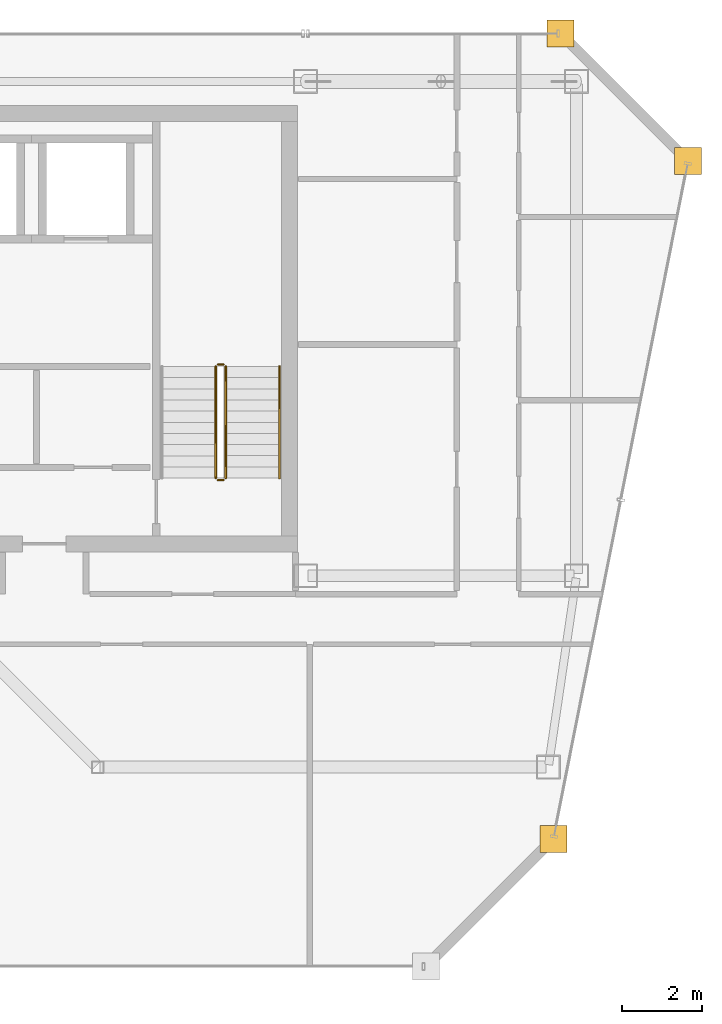
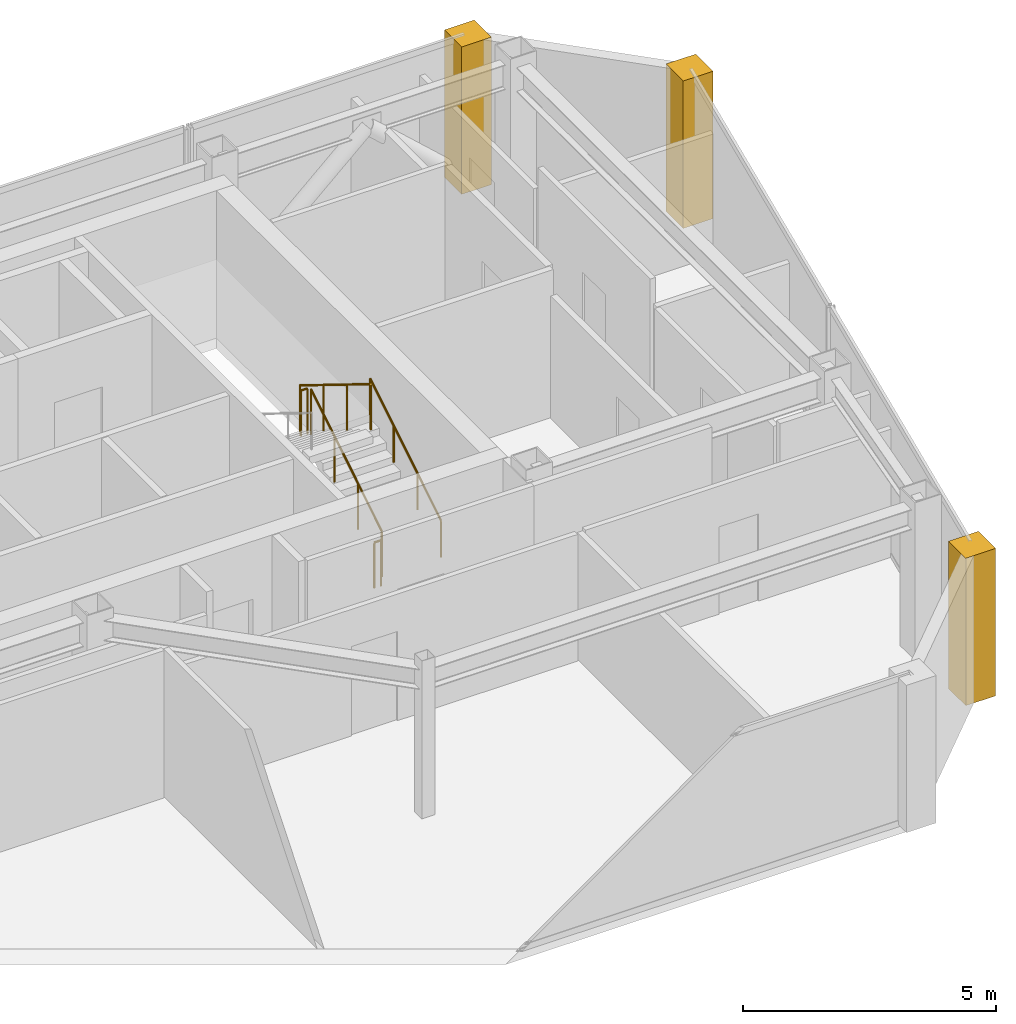
# One storey, part 24 of 24: 5 railings, 3 coverings.
"""IFC4 building model written with IfcOpenShell, lengths in metres."""

from ifc_helpers import new_model, si_unit, direction, frame, origin, origin_2d, place, context, subcontext, project, spatial, polyline, circle, outline, extrude, material, layer, layer_set, type_object, element, save


model = new_model("IFC4")

# Units and contexts
model_context = context("Model", 3, precision=1e-05, world=origin(), true_north=direction((0.0, 1.0)))
body_context = subcontext(model_context, "Body", "Model", "MODEL_VIEW")
ifc_project = project(units=[si_unit("LENGTHUNIT", "METRE"), si_unit("AREAUNIT", "SQUARE_METRE"), si_unit("VOLUMEUNIT", "CUBIC_METRE"), si_unit("PLANEANGLEUNIT", "RADIAN"), si_unit("MASSUNIT", "GRAM", prefix="KILO")], contexts=[model_context])

# Site, building, storey
site_placement = place(None, origin())
site = spatial("IfcSite", under=ifc_project, at=site_placement, CompositionType="ELEMENT")
building_placement = place(site_placement, origin())
building = spatial("IfcBuilding", under=site, at=building_placement, Name="Saevonmaru Cultural Tower", CompositionType="ELEMENT")
storey_placement = place(building_placement, frame((0.0, 0.0, 299.0)))
storey = spatial("IfcBuildingStorey", under=building, at=storey_placement, Name="L71", CompositionType="ELEMENT", Elevation=299.0)

# Coverings
ifc_material_1 = material(Name="Satin Bronze Anodised Aluminium", Category="aluminium")
ifc_layer = layer(ifc_material_1, 0.679931640625, Name="Satin Bronze Anodised Aluminium")
ifc_layer_set = layer_set([ifc_layer], Name="Satin Bronze Anodised Aluminium")
covering_type = type_object("IfcCoveringType", Name="CV-CORNER-CLAD", PredefinedType="CLADDING", material=ifc_layer_set)
covering_1_placement = place(storey_placement, origin())
element("IfcCovering", 1, at=covering_1_placement, inside=storey, type_object=covering_type, Name="L71 Tower Bronze Corner Cladding Pier 8", PredefinedType="CLADDING", context=body_context, shape_type="SweptSolid", body=[
    extrude(outline(polyline([(52.280029296875, 35.4599609375), (52.9599609375, 35.4599609375), (52.9599609375, 36.139892578125), (52.280029296875, 36.139892578125), (52.280029296875, 35.4599609375)])), origin(), (0.0, 0.0, 1.0), 3.550048828125),
])
covering_2_placement = place(storey_placement, origin())
element("IfcCovering", 2, at=covering_2_placement, inside=storey, type_object=covering_type, Name="L71 Tower Bronze Corner Cladding Pier 9", PredefinedType="CLADDING", context=body_context, shape_type="SweptSolid", body=[
    extrude(outline(polyline([(55.659912109375, 52.4599609375), (56.340087890625, 52.4599609375), (56.340087890625, 53.139892578125), (55.659912109375, 53.139892578125), (55.659912109375, 52.4599609375)])), origin(), (0.0, 0.0, 1.0), 3.550048828125),
])
covering_3_placement = place(storey_placement, origin())
element("IfcCovering", 3, at=covering_3_placement, inside=storey, type_object=covering_type, Name="L71 Tower Bronze Corner Cladding Pier 10", PredefinedType="CLADDING", context=body_context, shape_type="SweptSolid", body=[
    extrude(outline(polyline([(52.4599609375, 55.659912109375), (53.139892578125, 55.659912109375), (53.139892578125, 56.340087890625), (52.4599609375, 56.340087890625), (52.4599609375, 55.659912109375)])), origin(), (0.0, 0.0, 1.0), 3.550048828125),
])

# Railings
ifc_material_2 = material(Name="Architectural Painted Steel", Category="steel")
railing_type_1 = type_object("IfcRailingType", Name="RL-STAIR-GUARD", PredefinedType="GUARDRAIL", material=ifc_material_2)
railing_1_placement = place(storey_placement, frame((44.39990234375, 44.85009765625, 0.172607421875)))
element("IfcRailing", 4, at=railing_1_placement, inside=storey, type_object=railing_type_1, Name="L71 ST-2 stair guard 1", PredefinedType="GUARDRAIL", context=body_context, shape_type="SweptSolid", body=[
    extrude(circle(Radius=0.02392578125, at=origin_2d()), frame((0.0, 0.0, 1.09619140625), z_axis=(0.0, 0.851069175582, 0.525053576669), x_axis=(-1.0, 0.0, 0.0)), (0.0, 0.0, 1.0), 3.289794921875),
    extrude(circle(Radius=0.02099609375, at=origin_2d()), origin(), (0.0, 0.0, 1.0), 1.072021484375),
    extrude(circle(Radius=0.02099609375, at=origin_2d()), frame((0.0, 0.933349609375, 0.57568359375)), (0.0, 0.0, 1.0), 1.072021484375),
    extrude(circle(Radius=0.02099609375, at=origin_2d()), frame((0.0, 1.866455078125, 1.151611328125)), (0.0, 0.0, 1.0), 1.072021484375),
    extrude(circle(Radius=0.02099609375, at=origin_2d()), frame((0.0, 2.7998046875, 1.727294921875)), (0.0, 0.0, 1.0), 1.072021484375),
])
railing_2_placement = place(storey_placement, frame((44.35009765625, 47.699951171875, 1.89990234375)))
element("IfcRailing", 5, at=railing_2_placement, inside=storey, type_object=railing_type_1, Name="L71 ST-2 stair guard 2", PredefinedType="GUARDRAIL", context=body_context, shape_type="SweptSolid", body=[
    extrude(circle(Radius=0.02392578125, at=origin_2d()), frame((0.0, 0.0, 1.09619140625), z_axis=(-1.0, 0.0, 0.0), x_axis=(0.0, -1.0, 0.0)), (0.0, 0.0, 1.0), 0.150146484375),
    extrude(circle(Radius=0.02099609375, at=origin_2d()), origin(), (0.0, 0.0, 1.0), 1.072021484375),
    extrude(circle(Radius=0.02099609375, at=origin_2d()), frame((-0.150146484375, 0.0, 0.0)), (0.0, 0.0, 1.0), 1.072021484375),
])
railing_3_placement = place(storey_placement, frame((44.14990234375, 47.64990234375, 2.07275390625)))
element("IfcRailing", 6, at=railing_3_placement, inside=storey, type_object=railing_type_1, Name="L71 ST-2 stair guard 3", PredefinedType="GUARDRAIL", context=body_context, shape_type="SweptSolid", body=[
    extrude(circle(Radius=0.02392578125, at=origin_2d()), frame((0.0, 0.0, 1.09619140625), z_axis=(0.0, -0.851069175582, 0.525053576669), x_axis=(1.0, 0.0, 0.0)), (0.0, 0.0, 1.0), 3.289794921875),
    extrude(circle(Radius=0.02099609375, at=origin_2d()), origin(), (0.0, 0.0, 1.0), 1.072021484375),
    extrude(circle(Radius=0.02099609375, at=origin_2d()), frame((0.0, -0.933349609375, 0.57568359375)), (0.0, 0.0, 1.0), 1.072021484375),
    extrude(circle(Radius=0.02099609375, at=origin_2d()), frame((0.0, -1.866455078125, 1.151611328125)), (0.0, 0.0, 1.0), 1.072021484375),
    extrude(circle(Radius=0.02099609375, at=origin_2d()), frame((0.0, -2.7998046875, 1.727294921875)), (0.0, 0.0, 1.0), 1.072021484375),
])
railing_4_placement = place(storey_placement, frame((44.35009765625, 44.800048828125, 0.0)))
element("IfcRailing", 7, at=railing_4_placement, inside=storey, type_object=railing_type_1, Name="L71 ST-2 stair guard 4", PredefinedType="GUARDRAIL", context=body_context, shape_type="SweptSolid", body=[
    extrude(circle(Radius=0.02392578125, at=origin_2d()), frame((0.0, 0.0, 1.09619140625), z_axis=(-1.0, 0.0, 0.0), x_axis=(0.0, -1.0, 0.0)), (0.0, 0.0, 1.0), 0.150146484375),
    extrude(circle(Radius=0.02099609375, at=origin_2d()), origin(), (0.0, 0.0, 1.0), 1.072021484375),
    extrude(circle(Radius=0.02099609375, at=origin_2d()), frame((-0.150146484375, 0.0, 0.0)), (0.0, 0.0, 1.0), 1.072021484375),
])
railing_type_2 = type_object("IfcRailingType", Name="RL-STAIR-HANDRAIL", PredefinedType="HANDRAIL", material=ifc_material_1)
railing_5_placement = place(storey_placement, frame((45.75, 44.85009765625, 0.172607421875)))
element("IfcRailing", 8, at=railing_5_placement, inside=storey, type_object=railing_type_2, Name="L71 ST-2 stair handrail 1", PredefinedType="HANDRAIL", context=body_context, shape_type="SweptSolid", body=[
    extrude(circle(Radius=0.02392578125, at=origin_2d()), frame((0.0, 0.0, 0.8759765625), z_axis=(0.0, 0.851069175582, 0.525053576669), x_axis=(-1.0, 0.0, 0.0)), (0.0, 0.0, 1.0), 3.289794921875),
    extrude(circle(Radius=0.02099609375, at=origin_2d()), origin(), (0.0, 0.0, 1.0), 0.851806640625),
    extrude(circle(Radius=0.02099609375, at=origin_2d()), frame((0.0, 0.933349609375, 0.57568359375)), (0.0, 0.0, 1.0), 0.851806640625),
    extrude(circle(Radius=0.02099609375, at=origin_2d()), frame((0.0, 1.866455078125, 1.151611328125)), (0.0, 0.0, 1.0), 0.851806640625),
    extrude(circle(Radius=0.02099609375, at=origin_2d()), frame((0.0, 2.7998046875, 1.727294921875)), (0.0, 0.0, 1.0), 0.851806640625),
])

save(model, "model.ifc")
